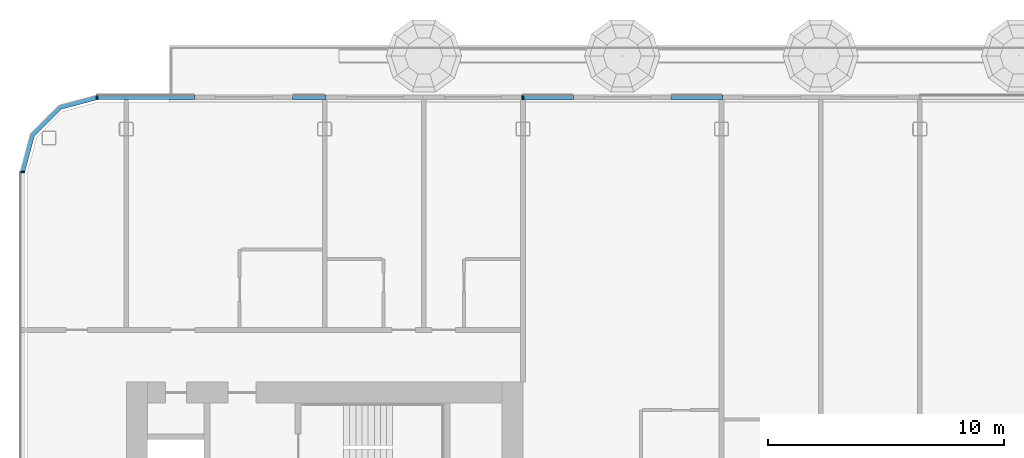
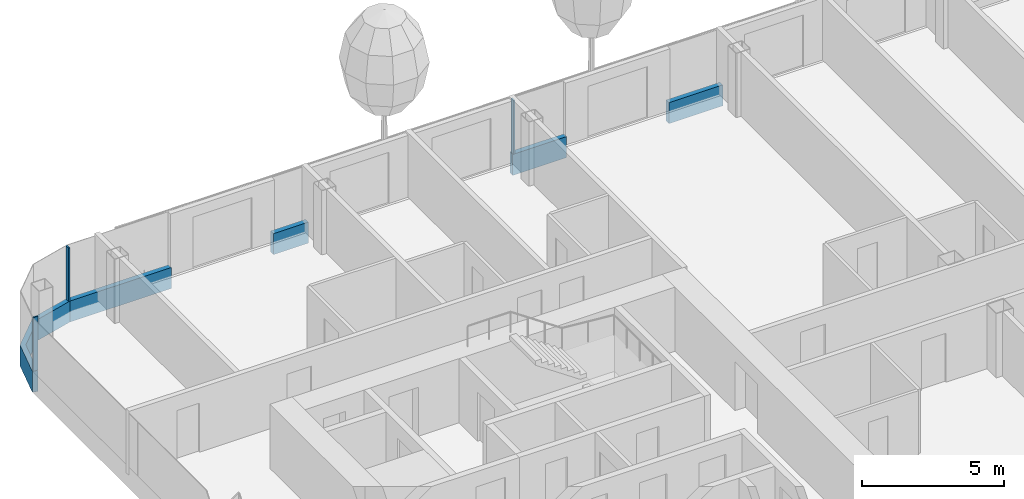
# One storey, part 5 of 28: 8 members, 3 elements without a shape of their own.
"""IFC4 building model written with IfcOpenShell, lengths in metres."""

from ifc_helpers import new_model, si_unit, direction, frame, origin, origin_2d, place, context, subcontext, project, spatial, polyline, rectangle, outline, extrude, material, layer, layer_set, material_profile, profile_set, type_object, element, aggregate, save


model = new_model("IFC4")

# Units and contexts
model_context = context("Model", 3, precision=1e-05, world=origin(), true_north=direction((0.0, 1.0)))
body_context = subcontext(model_context, "Body", "Model", "MODEL_VIEW")
ifc_project = project(units=[si_unit("LENGTHUNIT", "METRE"), si_unit("AREAUNIT", "SQUARE_METRE"), si_unit("VOLUMEUNIT", "CUBIC_METRE"), si_unit("PLANEANGLEUNIT", "RADIAN"), si_unit("MASSUNIT", "GRAM", prefix="KILO")], contexts=[model_context])

# Site, building, storey
site_placement = place(None, origin())
site = spatial("IfcSite", under=ifc_project, at=site_placement, CompositionType="ELEMENT")
building_placement = place(site_placement, origin())
building = spatial("IfcBuilding", under=site, at=building_placement, Name="Hakoniwa Tower and Hamabe Station Hall", CompositionType="ELEMENT")
storey_placement = place(building_placement, frame((0.0, 0.0, 193.0)))
storey = spatial("IfcBuildingStorey", under=building, at=storey_placement, Name="L54", CompositionType="ELEMENT", Elevation=193.0)

# Curtain wall, members
ifc_material_1 = material(Name="Dark low-e laminated glass", Category="glass")
ifc_layer = layer(ifc_material_1, 0.199951171875)
ifc_layer_set = layer_set([ifc_layer], Name="CW-1 UNITISED GUEST")
curtain_wall_type = type_object("IfcCurtainWallType", Name="CW-1 UNITISED GUEST", PredefinedType="NOTDEFINED", material=ifc_layer_set)
curtain_wall_1_placement = place(storey_placement, origin())
curtain_wall_1 = element("IfcCurtainWall", 1, at=curtain_wall_1_placement, inside=storey, type_object=curtain_wall_type, Name="CW-1 curtain wall", PredefinedType="NOTDEFINED")
ifc_material_2 = material(Name="Aluminium 6063-T5 black anodised", Category="aluminium")
ifc_material_profile_1 = material_profile(ifc_material_2, rectangle(XDim=0.199951171875, YDim=0.89990234375, at=origin_2d()), Name="CW SLAB-EDGE BAND 900X200")
ifc_profile_set_1 = profile_set([ifc_material_profile_1], Name="Aluminium 6063-T5 black anodised")
member_type_1 = type_object("IfcMemberType", Name="CW SLAB-EDGE BAND 900X200", PredefinedType="USERDEFINED", material=ifc_profile_set_1)
member_1_placement = place(storey_placement, frame((-8.340087890625, 20.449951171875, -0.10009765625), z_axis=(-1.0, 0.0, 0.0), x_axis=(0.0, -1.0, 0.0)))
member_1 = element("IfcMember", 2, at=member_1_placement, type_object=member_type_1, Name="CW-1 transom", ObjectType="TRANSOM", PredefinedType="USERDEFINED", context=body_context, shape_type="SweptSolid", body=[
    extrude(rectangle(XDim=0.199951171875, YDim=0.89990234375, at=origin_2d()), origin(), (0.0, 0.0, 1.0), 2.18994140625),
])
member_2_placement = place(storey_placement, frame((-14.669921875, 20.449951171875, -0.10009765625), z_axis=(-1.0, 0.0, 0.0), x_axis=(0.0, -1.0, 0.0)))
member_2 = element("IfcMember", 3, at=member_2_placement, type_object=member_type_1, Name="CW-1 transom", ObjectType="TRANSOM", PredefinedType="USERDEFINED", context=body_context, shape_type="SweptSolid", body=[
    extrude(rectangle(XDim=0.199951171875, YDim=0.89990234375, at=origin_2d()), origin(), (0.0, 0.0, 1.0), 2.190185546875),
])
member_3_placement = place(storey_placement, frame((-25.139892578125, 20.449951171875, -0.10009765625), z_axis=(-1.0, 0.0, 0.0), x_axis=(0.0, -1.0, 0.0)))
member_3 = element("IfcMember", 4, at=member_3_placement, type_object=member_type_1, Name="CW-1 transom", ObjectType="TRANSOM", PredefinedType="USERDEFINED", context=body_context, shape_type="SweptSolid", body=[
    extrude(rectangle(XDim=0.199951171875, YDim=0.89990234375, at=origin_2d()), origin(), (0.0, 0.0, 1.0), 1.4150390625),
])
member_4_placement = place(storey_placement, frame((-30.695068359375, 20.449951171875, -0.10009765625), z_axis=(-1.0, 0.0, 0.0), x_axis=(0.0, -1.0, 0.0)))
member_4 = element("IfcMember", 5, at=member_4_placement, type_object=member_type_1, Name="CW-1 transom", ObjectType="TRANSOM", PredefinedType="USERDEFINED", context=body_context, shape_type="SweptSolid", body=[
    extrude(rectangle(XDim=0.199951171875, YDim=0.89990234375, at=origin_2d()), origin(), (0.0, 0.0, 1.0), 4.14453125),
])

# Curtain wall, member
curtain_wall_2_placement = place(storey_placement, origin())
curtain_wall_2 = element("IfcCurtainWall", 6, at=curtain_wall_2_placement, inside=storey, type_object=curtain_wall_type, Name="CW-1 curtain wall", PredefinedType="NOTDEFINED")
member_5_placement = place(storey_placement, frame((0.0, 0.0, -0.550048828125)))
member_5 = element("IfcMember", 7, at=member_5_placement, type_object=member_type_1, Name="CW-1 transom", ObjectType="TRANSOM", PredefinedType="USERDEFINED", context=body_context, shape_type="SweptSolid", body=[
    extrude(outline(polyline([(-34.839599609375, 20.550048828125), (-36.455322265625, 20.116943359375), (-37.6669921875, 18.9052734375), (-38.10009765625, 17.28955078125), (-37.90673828125, 17.23779296875), (-37.48779296875, 18.8017578125), (-36.351806640625, 19.937744140625), (-34.787841796875, 20.35693359375), (-34.839599609375, 20.550048828125)])), origin(), (0.0, 0.0, 1.0), 0.900146484375),
])
aggregate(curtain_wall_2, [member_5])

# Member
ifc_material_3 = material(Name="Aluminium 6063-T5 black anodised", Category="aluminium")
ifc_material_profile_2 = material_profile(ifc_material_3, rectangle(XDim=0.06005859375, YDim=0.179931640625, at=origin_2d()), Name="CW-1 MULLION 60X180")
ifc_profile_set_2 = profile_set([ifc_material_profile_2], Name="Aluminium 6063-T5 black anodised")
member_type_2 = type_object("IfcMemberType", Name="CW-1 MULLION 60X180", PredefinedType="MULLION", material=ifc_profile_set_2)
member_6_placement = place(storey_placement, frame((-16.800048828125, 20.431884765625, 0.35009765625), z_axis=(0.0, 0.0, 1.0), x_axis=(-1.0, 0.0, 0.0)))
member_6 = element("IfcMember", 8, at=member_6_placement, type_object=member_type_2, Name="CW-1 mullion", PredefinedType="MULLION", context=body_context, shape_type="SweptSolid", body=[
    extrude(rectangle(XDim=0.06005859375, YDim=0.179931640625, at=origin_2d()), origin(), (0.0, 0.0, 1.0), 2.2998046875),
])

member_7_placement = place(storey_placement, frame((-34.839599609375, 20.431884765625, 0.35009765625), z_axis=(0.0, 0.0, 1.0), x_axis=(-1.0, 0.0, 0.0)))
member_7 = element("IfcMember", 9, at=member_7_placement, type_object=member_type_2, Name="CW-1 mullion", PredefinedType="MULLION", context=body_context, shape_type="SweptSolid", body=[
    extrude(rectangle(XDim=0.06005859375, YDim=0.179931640625, at=origin_2d()), origin(), (0.0, 0.0, 1.0), 2.2998046875),
])

aggregate(curtain_wall_1, [member_6, member_7, member_1, member_2, member_3, member_4])

# Curtain wall, member
curtain_wall_3_placement = place(storey_placement, origin())
curtain_wall_3 = element("IfcCurtainWall", 10, at=curtain_wall_3_placement, inside=storey, type_object=curtain_wall_type, Name="CW-1 curtain wall", PredefinedType="NOTDEFINED")
member_8_placement = place(storey_placement, frame((-37.98193359375, 17.28955078125, 0.35009765625), z_axis=(0.0, 0.0, 1.0), x_axis=(0.0, -1.0, 0.0)))
member_8 = element("IfcMember", 11, at=member_8_placement, type_object=member_type_2, Name="CW-1 mullion", PredefinedType="MULLION", context=body_context, shape_type="SweptSolid", body=[
    extrude(rectangle(XDim=0.06005859375, YDim=0.179931640625, at=origin_2d()), origin(), (0.0, 0.0, 1.0), 2.2998046875),
])
aggregate(curtain_wall_3, [member_8])

save(model, "model.ifc")
